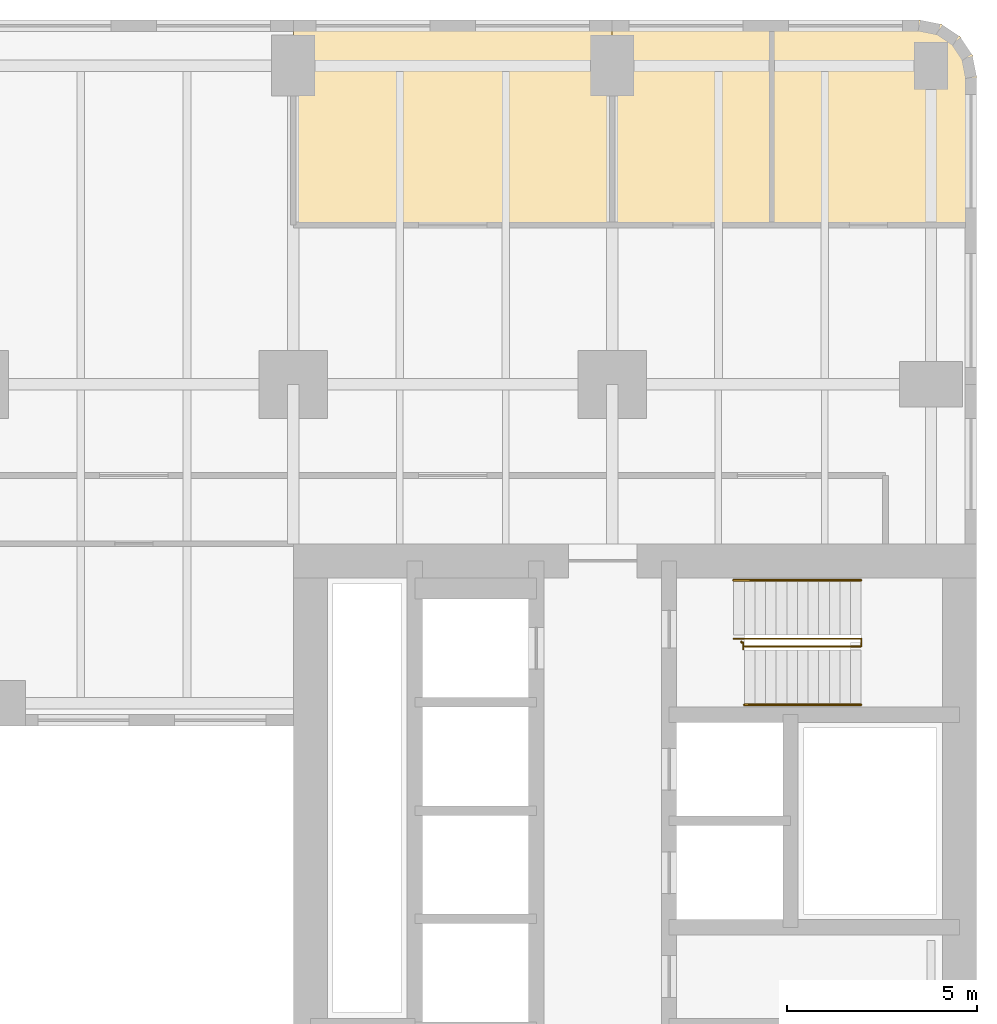
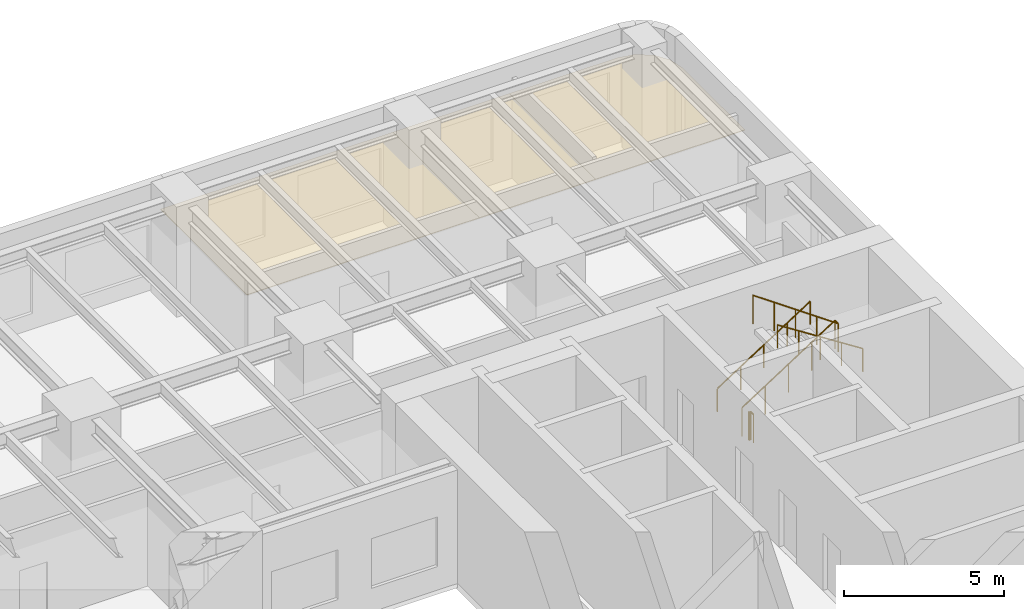
# One storey, part 14 of 14: 4 railings, 3 coverings.
"""IFC4 building model written with IfcOpenShell, lengths in metres."""

from ifc_helpers import new_model, si_unit, direction, frame, origin, origin_2d, place, context, subcontext, project, spatial, polyline, circle, outline, extrude, material, layer, layer_set, type_object, element, save


model = new_model("IFC4")

# Units and contexts
model_context = context("Model", 3, precision=1e-05, world=origin(), true_north=direction((0.0, 1.0)))
body_context = subcontext(model_context, "Body", "Model", "MODEL_VIEW")
ifc_project = project(units=[si_unit("LENGTHUNIT", "METRE"), si_unit("AREAUNIT", "SQUARE_METRE"), si_unit("VOLUMEUNIT", "CUBIC_METRE"), si_unit("PLANEANGLEUNIT", "RADIAN"), si_unit("MASSUNIT", "GRAM", prefix="KILO")], contexts=[model_context])

# Site, building, storey
site_placement = place(None, origin())
site = spatial("IfcSite", under=ifc_project, at=site_placement, CompositionType="ELEMENT")
building_placement = place(site_placement, origin())
building = spatial("IfcBuilding", under=site, at=building_placement, Name="Claustro Exchange Tower", CompositionType="ELEMENT")
storey_placement = place(building_placement, frame((0.0, 0.0, 27.89990234375)))
storey = spatial("IfcBuildingStorey", under=building, at=storey_placement, Name="L06", CompositionType="ELEMENT", Elevation=27.89990234375)

# Coverings
ifc_material_1 = material(Name="Gypsum board ceiling", Category="gypsum board")
ifc_layer = layer(ifc_material_1, 0.02490234375)
ifc_layer_set = layer_set([ifc_layer], Name="Gypsum board ceiling")
covering_type = type_object("IfcCoveringType", Name="CL2 plasterboard ceiling", PredefinedType="CEILING", material=ifc_layer_set)
covering_1_placement = place(storey_placement, frame((0.0, 0.0, 3.0)))
element("IfcCovering", 1, at=covering_1_placement, inside=storey, type_object=covering_type, Name="Ceiling CL2 L06-20", PredefinedType="CEILING", context=body_context, shape_type="SweptSolid", body=[
    extrude(outline(polyline([(42.0, 51.60009765625), (33.60009765625, 51.60009765625), (33.60009765625, 46.199951171875), (42.0, 46.199951171875), (42.0, 51.60009765625)])), origin(), (0.0, 0.0, 1.0), 0.025146484375),
])
covering_2_placement = place(storey_placement, frame((0.0, 0.0, 3.0)))
element("IfcCovering", 2, at=covering_2_placement, inside=storey, type_object=covering_type, Name="Ceiling CL2 L06-21", PredefinedType="CEILING", context=body_context, shape_type="SweptSolid", body=[
    extrude(outline(polyline([(46.199951171875, 51.60009765625), (42.0, 51.60009765625), (42.0, 46.199951171875), (46.199951171875, 46.199951171875), (46.199951171875, 51.60009765625)])), origin(), (0.0, 0.0, 1.0), 0.025146484375),
])
covering_3_placement = place(storey_placement, frame((0.0, 0.0, 3.0)))
element("IfcCovering", 3, at=covering_3_placement, inside=storey, type_object=covering_type, Name="Ceiling CL2 L06-22", PredefinedType="CEILING", context=body_context, shape_type="SweptSolid", body=[
    extrude(outline(polyline([(50.10009765625, 51.60009765625), (46.199951171875, 51.60009765625), (46.199951171875, 46.199951171875), (51.60009765625, 46.199951171875), (51.60009765625, 50.10009765625), (51.48583984375, 50.674072265625), (51.16064453125, 51.16064453125), (50.674072265625, 51.48583984375), (50.10009765625, 51.60009765625)])), origin(), (0.0, 0.0, 1.0), 0.025146484375),
])

# Railings
ifc_material_2 = material(Name="Steel balustrade, painted", Category="steel")
railing_type_1 = type_object("IfcRailingType", Name="GR2 1100 steel stair guard", PredefinedType="GUARDRAIL", material=ifc_material_2)
railing_1_placement = place(storey_placement, frame((45.199951171875, 35.300048828125, 0.18017578125)))
element("IfcRailing", 4, at=railing_1_placement, inside=storey, type_object=railing_type_1, Name="Stair well guard GR2 stair STEB L06", PredefinedType="GUARDRAIL", context=body_context, shape_type="SweptSolid", body=[
    extrude(circle(Radius=0.02392578125, at=origin_2d()), frame((0.0, 0.0, 1.076171875), z_axis=(0.84119634759, 0.0, 0.540729789082), x_axis=(0.0, 1.0, 0.0)), (0.0, 0.0, 1.0), 3.994384765625),
    extrude(circle(Radius=0.02392578125, at=origin_2d()), frame((3.360107421875, 0.0, 3.23583984375), z_axis=(0.0, -1.0, 0.0), x_axis=(1.0, 0.0, 0.0)), (0.0, 0.0, 1.0), 0.199951171875),
    extrude(circle(Radius=0.02392578125, at=origin_2d()), frame((3.360107421875, -0.199951171875, 3.23583984375), z_axis=(-0.8187499073, 0.0, 0.574150319426), x_axis=(0.0, -1.0, 0.0)), (0.0, 0.0, 1.0), 3.761962890625),
    extrude(circle(Radius=0.02099609375, at=origin_2d()), origin(), (0.0, 0.0, 1.0), 1.052001953125),
    extrude(circle(Radius=0.02099609375, at=origin_2d()), frame((0.840087890625, 0.0, 0.5400390625)), (0.0, 0.0, 1.0), 1.052001953125),
    extrude(circle(Radius=0.02099609375, at=origin_2d()), frame((1.68017578125, 0.0, 1.080078125)), (0.0, 0.0, 1.0), 1.052001953125),
    extrude(circle(Radius=0.02099609375, at=origin_2d()), frame((2.52001953125, 0.0, 1.619873046875)), (0.0, 0.0, 1.0), 1.052001953125),
    extrude(circle(Radius=0.02099609375, at=origin_2d()), frame((3.360107421875, 0.0, 2.159912109375)), (0.0, 0.0, 1.0), 1.052001953125),
    extrude(circle(Radius=0.02099609375, at=origin_2d()), frame((3.360107421875, -0.199951171875, 2.159912109375)), (0.0, 0.0, 1.0), 1.052001953125),
    extrude(circle(Radius=0.02099609375, at=origin_2d()), frame((2.590087890625, -0.199951171875, 2.699951171875)), (0.0, 0.0, 1.0), 1.052001953125),
    extrude(circle(Radius=0.02099609375, at=origin_2d()), frame((1.820068359375, -0.199951171875, 3.23974609375)), (0.0, 0.0, 1.0), 1.052001953125),
    extrude(circle(Radius=0.02099609375, at=origin_2d()), frame((1.050048828125, -0.199951171875, 3.77978515625)), (0.0, 0.0, 1.0), 1.052001953125),
    extrude(circle(Radius=0.02099609375, at=origin_2d()), frame((0.280029296875, -0.199951171875, 4.31982421875)), (0.0, 0.0, 1.0), 1.052001953125),
])
railing_2_placement = place(storey_placement, frame((45.39990234375, 35.22998046875, 0.0)))
element("IfcRailing", 5, at=railing_2_placement, inside=storey, type_object=railing_type_1, Name="Stair guard GR2 STEB L06", PredefinedType="GUARDRAIL", context=body_context, shape_type="SweptSolid", body=[
    extrude(circle(Radius=0.02392578125, at=origin_2d()), frame((0.0, 0.0, 1.076171875), z_axis=(0.0, -1.0, 0.0), x_axis=(1.0, 0.0, 0.0)), (0.0, 0.0, 1.0), 0.030029296875),
    extrude(circle(Radius=0.02392578125, at=origin_2d()), frame((0.0, -0.030029296875, 1.076171875), z_axis=(1.0, 0.0, 0.0), x_axis=(0.0, 1.0, 0.0)), (0.0, 0.0, 1.0), 0.05517578125),
    extrude(circle(Radius=0.02392578125, at=origin_2d()), frame((0.05517578125, -0.030029296875, 1.076171875), z_axis=(0.0, -1.0, 0.0), x_axis=(1.0, 0.0, 0.0)), (0.0, 0.0, 1.0), 0.179931640625),
    extrude(circle(Radius=0.02099609375, at=origin_2d()), origin(), (0.0, 0.0, 1.0), 1.052001953125),
    extrude(circle(Radius=0.02099609375, at=origin_2d()), frame((0.0, -0.030029296875, 0.0)), (0.0, 0.0, 1.0), 1.052001953125),
    extrude(circle(Radius=0.02099609375, at=origin_2d()), frame((0.05517578125, -0.030029296875, 0.0)), (0.0, 0.0, 1.0), 1.052001953125),
    extrude(circle(Radius=0.02099609375, at=origin_2d()), frame((0.05517578125, -0.2099609375, 0.0)), (0.0, 0.0, 1.0), 1.052001953125),
])
ifc_material_3 = material(Name="Stainless steel tube", Category="steel")
railing_type_2 = type_object("IfcRailingType", Name="HR1 900 stair handrail", PredefinedType="HANDRAIL", material=ifc_material_3)
railing_3_placement = place(storey_placement, frame((45.199951171875, 36.840087890625, 0.18017578125)))
element("IfcRailing", 6, at=railing_3_placement, inside=storey, type_object=railing_type_2, Name="Handrail HR1 stair STEB L06", PredefinedType="HANDRAIL", context=body_context, shape_type="SweptSolid", body=[
    extrude(circle(Radius=0.02392578125, at=origin_2d()), frame((0.0, 0.0, 0.8759765625), z_axis=(0.84119634759, 0.0, 0.540729789082), x_axis=(0.0, 1.0, 0.0)), (0.0, 0.0, 1.0), 3.994384765625),
    extrude(circle(Radius=0.02099609375, at=origin_2d()), origin(), (0.0, 0.0, 1.0), 0.851806640625),
    extrude(circle(Radius=0.02099609375, at=origin_2d()), frame((0.840087890625, 0.0, 0.5400390625)), (0.0, 0.0, 1.0), 0.851806640625),
    extrude(circle(Radius=0.02099609375, at=origin_2d()), frame((1.68017578125, 0.0, 1.080078125)), (0.0, 0.0, 1.0), 0.851806640625),
    extrude(circle(Radius=0.02099609375, at=origin_2d()), frame((2.52001953125, 0.0, 1.619873046875)), (0.0, 0.0, 1.0), 0.851806640625),
    extrude(circle(Radius=0.02099609375, at=origin_2d()), frame((3.360107421875, 0.0, 2.159912109375)), (0.0, 0.0, 1.0), 0.851806640625),
])
railing_4_placement = place(storey_placement, frame((48.56005859375, 33.56005859375, 2.52001953125)))
element("IfcRailing", 7, at=railing_4_placement, inside=storey, type_object=railing_type_2, Name="Handrail HR1 stair STEB L06", PredefinedType="HANDRAIL", context=body_context, shape_type="SweptSolid", body=[
    extrude(circle(Radius=0.02392578125, at=origin_2d()), frame((0.0, 0.0, 0.8759765625), z_axis=(-0.84118714077, 0.0, 0.540744111576), x_axis=(0.0, -1.0, 0.0)), (0.0, 0.0, 1.0), 3.66162109375),
    extrude(circle(Radius=0.02099609375, at=origin_2d()), origin(), (0.0, 0.0, 1.0), 0.851806640625),
    extrude(circle(Radius=0.02099609375, at=origin_2d()), frame((-0.77001953125, 0.0, 0.4951171875)), (0.0, 0.0, 1.0), 0.851806640625),
    extrude(circle(Radius=0.02099609375, at=origin_2d()), frame((-1.5400390625, 0.0, 0.989990234375)), (0.0, 0.0, 1.0), 0.851806640625),
    extrude(circle(Radius=0.02099609375, at=origin_2d()), frame((-2.31005859375, 0.0, 1.48486328125)), (0.0, 0.0, 1.0), 0.851806640625),
    extrude(circle(Radius=0.02099609375, at=origin_2d()), frame((-3.080078125, 0.0, 1.97998046875)), (0.0, 0.0, 1.0), 0.851806640625),
])

save(model, "model.ifc")
